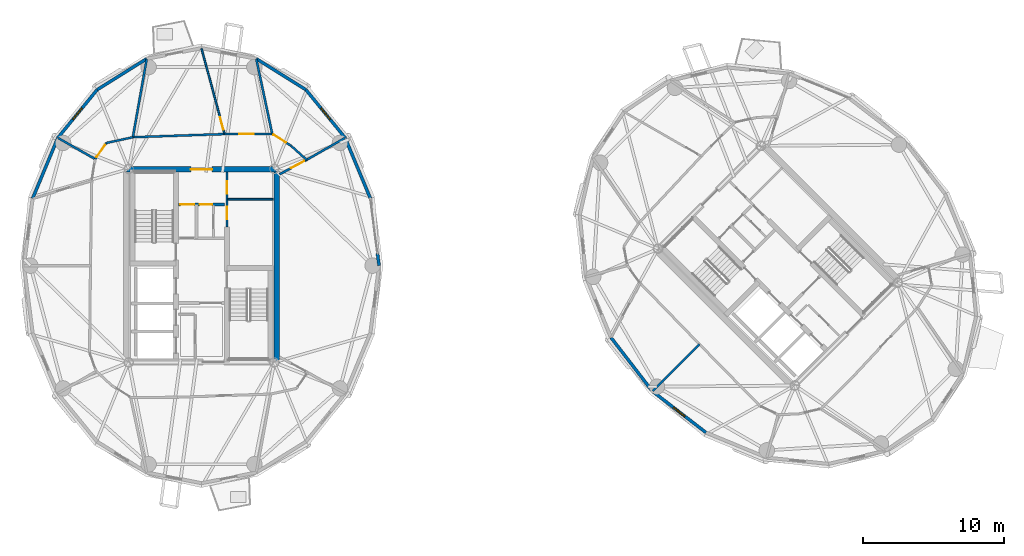
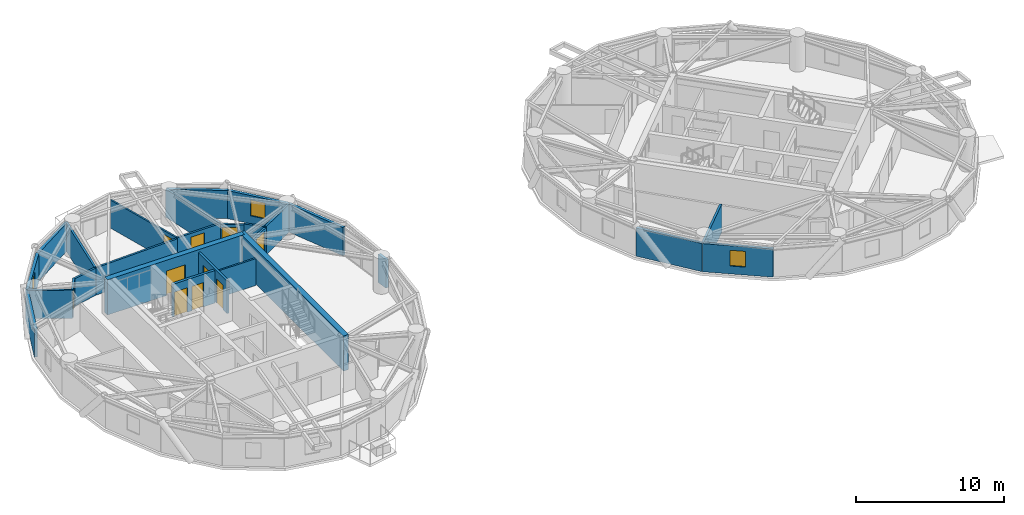
# One storey, part 10 of 17: 27 walls, 10 doors, 3 windows, 13 openings.
"""IFC4 building model written with IfcOpenShell, lengths in metres."""

from ifc_helpers import new_model, si_unit, direction, frame, frame_2d, origin, place, context, subcontext, project, spatial, rectangle, extrude, source, transform, mapped, material, layer, layer_set, type_object, element, fill, save


model = new_model("IFC4")

# Units and contexts
model_context = context("Model", 3, precision=1e-05, world=origin(), true_north=direction((0.0, 1.0)))
body_context = subcontext(model_context, "Body", "Model", "MODEL_VIEW")
ifc_project = project(units=[si_unit("LENGTHUNIT", "METRE"), si_unit("AREAUNIT", "SQUARE_METRE"), si_unit("VOLUMEUNIT", "CUBIC_METRE"), si_unit("PLANEANGLEUNIT", "RADIAN"), si_unit("MASSUNIT", "GRAM", prefix="KILO")], contexts=[model_context])

# Site, building, storey
site_placement = place(None, origin())
site = spatial("IfcSite", under=ifc_project, at=site_placement, CompositionType="ELEMENT")
building_placement = place(site_placement, origin())
building = spatial("IfcBuilding", under=site, at=building_placement, Name="Cununo Teusaquillo Station Towers", CompositionType="ELEMENT")
storey_placement = place(building_placement, frame((0.0, 0.0, 205.389892578125)))
storey = spatial("IfcBuildingStorey", under=building, at=storey_placement, Name="L65", CompositionType="ELEMENT", Elevation=205.389892578125)

# Wall
ifc_material_1 = material(Name="Concrete C50/60", Category="concrete")
ifc_layer_1 = layer(ifc_material_1, 0.39990234375)
ifc_layer_set_1 = layer_set([ifc_layer_1], Name="Concrete C50/60")
wall_type_1 = type_object("IfcWallType", Name="WL-CORE-400", PredefinedType="SHEAR", material=ifc_layer_set_1)
wall_1_placement = place(storey_placement, frame((21.85009765625, 17.449951171875, 0.0), z_axis=(0.0, 0.0, 1.0), x_axis=(0.0, 1.0, 0.0)))
element("IfcWall", 1, at=wall_1_placement, inside=storey, type_object=wall_type_1, Name="L65 Tower A Core Shear Wall E", PredefinedType="SHEAR", context=body_context, shape_type="SweptSolid", body=[
    extrude(rectangle(XDim=14.10009765625, YDim=0.39990234375, at=frame_2d((7.050048828125, 0.0))), origin(), (0.0, 0.0, 1.0), 2.91015625),
])

# Wall, opening, door
wall_2_placement = place(storey_placement, frame((11.14990234375, 31.35009765625, 0.0), z_axis=(0.0, 0.0, 1.0), x_axis=(1.0, 0.0, 0.0)))
wall_2 = element("IfcWall", 2, at=wall_2_placement, inside=storey, type_object=wall_type_1, Name="L65 Tower A Core Shear Wall N", PredefinedType="SHEAR", context=body_context, shape_type="SweptSolid", body=[
    extrude(rectangle(XDim=10.7001953125, YDim=0.39990234375, at=frame_2d((5.35009765625, 0.0))), origin(), (0.0, 0.0, 1.0), 2.91015625),
])
shared_shape_1 = source(origin(), body_context, "Body", "SweptSolid", [
    extrude(rectangle(XDim=1.5, YDim=2.02001953125, at=frame_2d((0.75, 1.010009765625))), frame((0.0, 0.2099609375, 0.0), z_axis=(0.0, -1.0, 0.0), x_axis=(1.0, 0.0, 0.0)), (0.0, 0.0, 1.0), 0.419921875),
])
opening_1_placement = place(wall_2_placement, frame((4.60009765625, 0.0, 0.0)))
opening_1 = element("IfcOpeningElement", 3, at=opening_1_placement, cuts=wall_2, Name="Opening D-LB1", PredefinedType="OPENING", context=body_context, shape_type="MappedRepresentation", body=[
    mapped(shared_shape_1, transform((0.0, 0.0, 0.0), x_axis=(1.0, 0.0, 0.0), y_axis=(0.0, 1.0, 0.0), z_axis=(0.0, 0.0, 1.0), scale=1.0)),
])
ifc_material_2 = material(Name="Galvanised fire-rated hollow steel door assembly", Category="steel")
door_type_1 = type_object("IfcDoorType", Name="DR-LOBBY-1500", OperationType="DOUBLE_DOOR_SINGLE_SWING", PredefinedType="DOOR", material=ifc_material_2)
shared_shape_2 = source(origin(), body_context, "Body", "SweptSolid", [
    extrude(rectangle(XDim=1.5, YDim=2.02001953125, at=frame_2d((0.75, 1.010009765625))), frame((0.0, 0.02490234375, 0.0), z_axis=(0.0, -1.0, 0.0), x_axis=(1.0, 0.0, 0.0)), (0.0, 0.0, 1.0), 0.050048828125),
])
door_1_placement = place(opening_1_placement, origin())
door_1 = element("IfcDoor", 4, at=door_1_placement, inside=storey, type_object=door_type_1, Name="L65 Tower A North Core Lift Lobby Door", OperationType="DOUBLE_DOOR_SINGLE_SWING", OverallHeight=2.02001953125, OverallWidth=1.5, PredefinedType="DOOR", context=body_context, shape_type="MappedRepresentation", body=[
    mapped(shared_shape_2, transform((0.0, 0.0, 0.0), x_axis=(1.0, 0.0, 0.0), y_axis=(0.0, 1.0, 0.0), z_axis=(0.0, 0.0, 1.0), scale=1.0)),
])
fill(opening_1, door_1)

# Walls
ifc_material_3 = material(Name="Precast concrete C40/50", Category="concrete")
ifc_layer_2 = layer(ifc_material_3, 0.219970703125)
ifc_layer_set_2 = layer_set([ifc_layer_2], Name="Precast concrete C40/50")
wall_type_2 = type_object("IfcWallType", Name="WL-EXT-220", PredefinedType="SOLIDWALL", material=ifc_layer_set_2)
wall_3_placement = place(storey_placement, frame((29.018310546875, 25.36279296875, 0.0), z_axis=(0.0, 0.0, 1.0), x_axis=(0.128247365719, -0.991742211054, 0.0)))
element("IfcWall", 5, at=wall_3_placement, inside=storey, type_object=wall_type_2, Name="L65 Tower A Column Pier Cladding Wall C00-PB", PredefinedType="SOLIDWALL", context=body_context, shape_type="SweptSolid", body=[
    extrude(rectangle(XDim=0.869873046875, YDim=0.219970703125, at=frame_2d((0.43505859375, 0.0))), origin(), (0.0, 0.0, 1.0), 2.322021484375),
])
wall_4_placement = place(storey_placement, frame((26.718017578125, 33.593017578125, 0.0), z_axis=(0.0, 0.0, 1.0), x_axis=(0.384036305194, -0.923317993052, 0.0)))
element("IfcWall", 6, at=wall_4_placement, inside=storey, type_object=wall_type_2, Name="L65 Tower A Exterior Facade Wall C01", PredefinedType="SOLIDWALL", context=body_context, shape_type="SweptSolid", body=[
    extrude(rectangle(XDim=4.670654296875, YDim=0.219970703125, at=frame_2d((2.33544921875, 0.0))), origin(), (0.0, 0.0, 1.0), 2.322021484375),
])

# Wall, opening, window
wall_5_placement = place(storey_placement, frame((23.923583984375, 37.015380859375, 0.0), z_axis=(0.0, 0.0, 1.0), x_axis=(0.632467166636, -0.774587169483, 0.0)))
wall_5 = element("IfcWall", 7, at=wall_5_placement, inside=storey, type_object=wall_type_2, Name="L65 Tower A Exterior Facade Wall C02", PredefinedType="SOLIDWALL", context=body_context, shape_type="SweptSolid", body=[
    extrude(rectangle(XDim=4.418212890625, YDim=0.219970703125, at=frame_2d((2.208984375, 0.0))), origin(), (0.0, 0.0, 1.0), 2.322021484375),
])
shared_shape_3 = source(origin(), body_context, "Body", "SweptSolid", [
    extrude(rectangle(XDim=1.050048828125, YDim=1.300048828125, at=frame_2d((0.52490234375, 0.64990234375))), frame((0.0, 0.119873046875, 0.0), z_axis=(0.0, -1.0, 0.0), x_axis=(1.0, 0.0, 0.0)), (0.0, 0.0, 1.0), 0.239990234375),
])
opening_2_placement = place(wall_5_placement, frame((1.68408203125, 0.0, 0.64990234375)))
opening_2 = element("IfcOpeningElement", 8, at=opening_2_placement, cuts=wall_5, Name="Opening WN-04", PredefinedType="OPENING", context=body_context, shape_type="MappedRepresentation", body=[
    mapped(shared_shape_3, transform((0.0, 0.0, 0.0), x_axis=(1.0, 0.0, 0.0), y_axis=(0.0, 1.0, 0.0), z_axis=(0.0, 0.0, 1.0), scale=1.0)),
])
ifc_material_4 = material(Name="Operable acoustic tinted low-E double glazing", Category="glass")
window_type = type_object("IfcWindowType", Name="WIN-BAL-1050", PartitioningType="SINGLE_PANEL", PredefinedType="WINDOW", material=ifc_material_4)
shared_shape_4 = source(origin(), body_context, "Body", "SweptSolid", [
    extrude(rectangle(XDim=1.050048828125, YDim=1.300048828125, at=frame_2d((0.52490234375, 0.64990234375))), frame((0.0, 0.030029296875, 0.0), z_axis=(0.0, -1.0, 0.0), x_axis=(1.0, 0.0, 0.0)), (0.0, 0.0, 1.0), 0.06005859375),
])
window_1_placement = place(opening_2_placement, origin())
window_1 = element("IfcWindow", 9, at=window_1_placement, inside=storey, type_object=window_type, Name="L65 Tower A Facade Window C02", OverallHeight=1.300048828125, OverallWidth=1.050048828125, PartitioningType="SINGLE_PANEL", PredefinedType="WINDOW", context=body_context, shape_type="MappedRepresentation", body=[
    mapped(shared_shape_4, transform((0.0, 0.0, 0.0), x_axis=(1.0, 0.0, 0.0), y_axis=(0.0, 1.0, 0.0), z_axis=(0.0, 0.0, 1.0), scale=1.0)),
])
fill(opening_2, window_1)

# Walls
for number, where, z_axis, x_axis, name in (
    (10, (20.40283203125, 39.212890625, 0.0), (0.0, 0.0, 1.0), (0.848318713376, -0.529485939886, 0.0), "L65 Tower A Exterior Facade Wall C03"),
    (11, (9.076416015625, 37.015380859375, 0.0), (0.0, 0.0, 1.0), (0.848318713376, 0.529485939886, 0.0), "L65 Tower A Exterior Facade Wall C06"),
):
    element("IfcWall", number, at=place(storey_placement, frame(where, z_axis=z_axis, x_axis=x_axis)), inside=storey, type_object=wall_type_2, Name=name, PredefinedType="SOLIDWALL", context=body_context, shape_type="SweptSolid", body=[
        extrude(rectangle(XDim=4.150390625, YDim=0.219970703125, at=frame_2d((2.0751953125, 0.0))), origin(), (0.0, 0.0, 1.0), 2.322021484375),
    ])

# Wall, opening, window
wall_6_placement = place(storey_placement, frame((6.281982421875, 33.593017578125, 0.0), z_axis=(0.0, 0.0, 1.0), x_axis=(0.632467166636, 0.774587169483, 0.0)))
wall_6 = element("IfcWall", 12, at=wall_6_placement, inside=storey, type_object=wall_type_2, Name="L65 Tower A Exterior Facade Wall C07", PredefinedType="SOLIDWALL", context=body_context, shape_type="SweptSolid", body=[
    extrude(rectangle(XDim=4.418212890625, YDim=0.219970703125, at=frame_2d((2.208984375, 0.0))), origin(), (0.0, 0.0, 1.0), 2.322021484375),
])
opening_3_placement = place(wall_6_placement, frame((1.68408203125, 0.0, 0.64990234375)))
opening_3 = element("IfcOpeningElement", 13, at=opening_3_placement, cuts=wall_6, Name="Opening WN-04", PredefinedType="OPENING", context=body_context, shape_type="MappedRepresentation", body=[
    mapped(shared_shape_3, transform((0.0, 0.0, 0.0), x_axis=(1.0, 0.0, 0.0), y_axis=(0.0, 1.0, 0.0), z_axis=(0.0, 0.0, 1.0), scale=1.0)),
])
window_2_placement = place(opening_3_placement, origin())
window_2 = element("IfcWindow", 14, at=window_2_placement, inside=storey, type_object=window_type, Name="L65 Tower A Facade Window C07", OverallHeight=1.300048828125, OverallWidth=1.050048828125, PartitioningType="SINGLE_PANEL", PredefinedType="WINDOW", context=body_context, shape_type="MappedRepresentation", body=[
    mapped(shared_shape_4, transform((0.0, 0.0, 0.0), x_axis=(1.0, 0.0, 0.0), y_axis=(0.0, 1.0, 0.0), z_axis=(0.0, 0.0, 1.0), scale=1.0)),
])
fill(opening_3, window_2)

# Walls
wall_7_placement = place(storey_placement, frame((4.48828125, 29.280517578125, 0.0), z_axis=(0.0, 0.0, 1.0), x_axis=(0.384036305194, 0.923317993052, 0.0)))
element("IfcWall", 15, at=wall_7_placement, inside=storey, type_object=wall_type_2, Name="L65 Tower A Exterior Facade Wall C08", PredefinedType="SOLIDWALL", context=body_context, shape_type="SweptSolid", body=[
    extrude(rectangle(XDim=4.670654296875, YDim=0.219970703125, at=frame_2d((2.33544921875, 0.0))), origin(), (0.0, 0.0, 1.0), 2.322021484375),
])
wall_8_placement = place(storey_placement, frame((48.569091796875, 15.569091796875, 0.0), z_axis=(0.0, 0.0, 1.0), x_axis=(-0.610523083886, 0.791998462147, 0.0)))
element("IfcWall", 16, at=wall_8_placement, inside=storey, type_object=wall_type_2, Name="L65 Tower B Exterior Facade Wall C09", PredefinedType="SOLIDWALL", context=body_context, shape_type="SweptSolid", body=[
    extrude(rectangle(XDim=4.8203125, YDim=0.219970703125, at=frame_2d((2.41015625, 0.0))), origin(), (0.0, 0.0, 1.0), 2.322021484375),
])

# Wall, opening, window
wall_9_placement = place(storey_placement, frame((52.38671875, 12.626220703125, 0.0), z_axis=(0.0, 0.0, 1.0), x_axis=(-0.791998462147, 0.610523083886, 0.0)))
wall_9 = element("IfcWall", 17, at=wall_9_placement, inside=storey, type_object=wall_type_2, Name="L65 Tower B Exterior Facade Wall C10", PredefinedType="SOLIDWALL", context=body_context, shape_type="SweptSolid", body=[
    extrude(rectangle(XDim=4.8203125, YDim=0.219970703125, at=frame_2d((2.41015625, 0.0))), origin(), (0.0, 0.0, 1.0), 2.322021484375),
])
opening_4_placement = place(wall_9_placement, frame((1.885009765625, 0.0, 0.64990234375)))
opening_4 = element("IfcOpeningElement", 18, at=opening_4_placement, cuts=wall_9, Name="Opening WN-04", PredefinedType="OPENING", context=body_context, shape_type="MappedRepresentation", body=[
    mapped(shared_shape_3, transform((0.0, 0.0, 0.0), x_axis=(1.0, 0.0, 0.0), y_axis=(0.0, 1.0, 0.0), z_axis=(0.0, 0.0, 1.0), scale=1.0)),
])
window_3_placement = place(opening_4_placement, origin())
window_3 = element("IfcWindow", 19, at=window_3_placement, inside=storey, type_object=window_type, Name="L65 Tower B Facade Window C10", OverallHeight=1.300048828125, OverallWidth=1.050048828125, PartitioningType="SINGLE_PANEL", PredefinedType="WINDOW", context=body_context, shape_type="MappedRepresentation", body=[
    mapped(shared_shape_4, transform((0.0, 0.0, 0.0), x_axis=(1.0, 0.0, 0.0), y_axis=(0.0, 1.0, 0.0), z_axis=(0.0, 0.0, 1.0), scale=1.0)),
])
fill(opening_4, window_3)

# Wall
ifc_material_5 = material(Name="Fire-rated gypsum plasterboard partition assembly", Category="gypsum")
ifc_layer_3 = layer(ifc_material_5, 0.125)
ifc_layer_set_3 = layer_set([ifc_layer_3], Name="Fire-rated gypsum plasterboard partition assembly")
wall_type_3 = type_object("IfcWallType", Name="WL-PART-125", PredefinedType="PARTITIONING", material=ifc_layer_set_3)
wall_10_placement = place(storey_placement, frame((18.3798828125, 29.219970703125, 0.0), z_axis=(0.0, 0.0, 1.0), x_axis=(1.0, 0.0, 0.0)))
element("IfcWall", 20, at=wall_10_placement, inside=storey, type_object=wall_type_3, Name="L65 Tower A Reclaimed Bay Divider Wall", PredefinedType="PARTITIONING", context=body_context, shape_type="SweptSolid", body=[
    extrude(rectangle(XDim=3.22021484375, YDim=0.125, at=frame_2d((1.610107421875, 0.0))), origin(), (0.0, 0.0, 1.0), 2.22216796875),
])

# Wall, opening, door
wall_11_placement = place(storey_placement, frame((18.142822265625, 33.859619140625, 0.0), z_axis=(0.0, 0.0, 1.0), x_axis=(-0.260434252895, 0.965491584592, 0.0)))
wall_11 = element("IfcWall", 21, at=wall_11_placement, inside=storey, type_object=wall_type_3, Name="L65 Tower A International Arbitration Salon Suite Subdividing Wall", PredefinedType="PARTITIONING", context=body_context, shape_type="SweptSolid", body=[
    extrude(rectangle(XDim=6.30810546875, YDim=0.125, at=frame_2d((3.154052734375, 0.0))), origin(), (0.0, 0.0, 1.0), 2.322021484375),
])
shared_shape_5 = source(origin(), body_context, "Body", "SweptSolid", [
    extrude(rectangle(XDim=0.89990234375, YDim=2.0048828125, at=frame_2d((0.449951171875, 1.00244140625))), frame((0.0, 0.072509765625, 0.0), z_axis=(0.0, -1.0, 0.0), x_axis=(1.0, 0.0, 0.0)), (0.0, 0.0, 1.0), 0.14501953125),
])
opening_5_placement = place(wall_11_placement, frame((0.330078125, 0.0, 0.0)))
opening_5 = element("IfcOpeningElement", 22, at=opening_5_placement, cuts=wall_11, Name="Opening D-IN1", PredefinedType="OPENING", context=body_context, shape_type="MappedRepresentation", body=[
    mapped(shared_shape_5, transform((0.0, 0.0, 0.0), x_axis=(1.0, 0.0, 0.0), y_axis=(0.0, 1.0, 0.0), z_axis=(0.0, 0.0, 1.0), scale=1.0)),
])
ifc_material_6 = material(Name="Acoustic solid-core hardwood leaf assembly", Category="wood")
door_type_2 = type_object("IfcDoorType", Name="DR-INT-900", OperationType="NOTDEFINED", PredefinedType="DOOR", material=ifc_material_6)
shared_shape_6 = source(origin(), body_context, "Body", "SweptSolid", [
    extrude(rectangle(XDim=0.89990234375, YDim=2.0048828125, at=frame_2d((0.449951171875, 1.00244140625))), frame((0.0, 0.02490234375, 0.0), z_axis=(0.0, -1.0, 0.0), x_axis=(1.0, 0.0, 0.0)), (0.0, 0.0, 1.0), 0.050048828125),
])
door_2_placement = place(opening_5_placement, origin())
door_2 = element("IfcDoor", 23, at=door_2_placement, inside=storey, type_object=door_type_2, Name="L65 Tower A International Arbitration Salon Suite Connecting Door", OperationType="SINGLE_SWING_LEFT", OverallHeight=2.0048828125, OverallWidth=0.89990234375, PredefinedType="DOOR", context=body_context, shape_type="MappedRepresentation", body=[
    mapped(shared_shape_6, transform((0.0, 0.0, 0.0), x_axis=(1.0, 0.0, 0.0), y_axis=(0.0, 1.0, 0.0), z_axis=(0.0, 0.0, 1.0), scale=1.0)),
])
fill(opening_5, door_2)

# Wall
ifc_material_7 = material(Name="Fire-rated gypsum plasterboard partition assembly", Category="gypsum")
ifc_layer_4 = layer(ifc_material_7, 0.14990234375)
ifc_layer_set_4 = layer_set([ifc_layer_4], Name="Fire-rated gypsum plasterboard partition assembly")
wall_type_4 = type_object("IfcWallType", Name="WL-PART-150", PredefinedType="PARTITIONING", material=ifc_layer_set_4)
wall_12_placement = place(storey_placement, frame((23.979736328125, 32.02685546875, 0.0), z_axis=(0.0, 0.0, 1.0), x_axis=(-0.742353224332, 0.670008724065, 0.0)))
element("IfcWall", 24, at=wall_12_placement, inside=storey, type_object=wall_type_4, Name="L65 Tower A Corridor Ring Wall C02", PredefinedType="PARTITIONING", context=body_context, shape_type="SweptSolid", body=[
    extrude(rectangle(XDim=1.48486328125, YDim=0.14990234375, at=frame_2d((0.742431640625, 0.0))), origin(), (0.0, 0.0, 1.0), 2.322021484375),
])

# Wall, opening, door
wall_13_placement = place(storey_placement, frame((22.87744140625, 33.021728515625, 0.0), z_axis=(0.0, 0.0, 1.0), x_axis=(-0.845895608855, 0.533348496689, 0.0)))
wall_13 = element("IfcWall", 25, at=wall_13_placement, inside=storey, type_object=wall_type_4, Name="L65 Tower A Corridor Ring Wall C03", PredefinedType="PARTITIONING", context=body_context, shape_type="SweptSolid", body=[
    extrude(rectangle(XDim=1.5966796875, YDim=0.14990234375, at=frame_2d((0.79833984375, 0.0))), origin(), (0.0, 0.0, 1.0), 2.255126953125),
])
shared_shape_7 = source(origin(), body_context, "Body", "SweptSolid", [
    extrude(rectangle(XDim=1.050048828125, YDim=2.014892578125, at=frame_2d((0.52490234375, 1.00732421875))), frame((0.0, 0.0849609375, 0.0), z_axis=(0.0, -1.0, 0.0), x_axis=(1.0, 0.0, 0.0)), (0.0, 0.0, 1.0), 0.169921875),
])
opening_6_placement = place(wall_13_placement, frame((0.4267578125, 0.0, 0.0)))
opening_6 = element("IfcOpeningElement", 26, at=opening_6_placement, cuts=wall_13, Name="Opening D-SU1", PredefinedType="OPENING", context=body_context, shape_type="MappedRepresentation", body=[
    mapped(shared_shape_7, transform((0.0, 0.0, 0.0), x_axis=(1.0, 0.0, 0.0), y_axis=(0.0, 1.0, 0.0), z_axis=(0.0, 0.0, 1.0), scale=1.0)),
])
ifc_material_8 = material(Name="Acoustic solid-core hardwood leaf assembly", Category="wood")
door_type_3 = type_object("IfcDoorType", Name="DR-SUITE-1050", OperationType="NOTDEFINED", PredefinedType="DOOR", material=ifc_material_8)
shared_shape_8 = source(origin(), body_context, "Body", "SweptSolid", [
    extrude(rectangle(XDim=1.050048828125, YDim=2.014892578125, at=frame_2d((0.52490234375, 1.00732421875))), frame((0.0, 0.02490234375, 0.0), z_axis=(0.0, -1.0, 0.0), x_axis=(1.0, 0.0, 0.0)), (0.0, 0.0, 1.0), 0.050048828125),
])
door_3_placement = place(opening_6_placement, origin())
door_3 = element("IfcDoor", 27, at=door_3_placement, inside=storey, type_object=door_type_3, Name="L65 Tower A Andean Climate Foundation HQ Entrance Door", OperationType="SINGLE_SWING_LEFT", OverallHeight=2.014892578125, OverallWidth=1.050048828125, PredefinedType="DOOR", context=body_context, shape_type="MappedRepresentation", body=[
    mapped(shared_shape_8, transform((0.0, 0.0, 0.0), x_axis=(1.0, 0.0, 0.0), y_axis=(0.0, 1.0, 0.0), z_axis=(0.0, 0.0, 1.0), scale=1.0)),
])
fill(opening_6, door_3)

wall_14_placement = place(storey_placement, frame((21.52685546875, 33.873291015625, 0.0), z_axis=(0.0, 0.0, 1.0), x_axis=(-0.999991838845, -0.004040079574, 0.0)))
wall_14 = element("IfcWall", 28, at=wall_14_placement, inside=storey, type_object=wall_type_4, Name="L65 Tower A Corridor Ring Wall C04", PredefinedType="PARTITIONING", context=body_context, shape_type="SweptSolid", body=[
    extrude(rectangle(XDim=3.384033203125, YDim=0.14990234375, at=frame_2d((1.69189453125, 0.0))), origin(), (0.0, 0.0, 1.0), 2.322021484375),
])
opening_7_placement = place(wall_14_placement, frame((1.2978515625, 0.0, 0.0)))
opening_7 = element("IfcOpeningElement", 29, at=opening_7_placement, cuts=wall_14, Name="Opening D-SU1", PredefinedType="OPENING", context=body_context, shape_type="MappedRepresentation", body=[
    mapped(shared_shape_7, transform((0.0, 0.0, 0.0), x_axis=(1.0, 0.0, 0.0), y_axis=(0.0, 1.0, 0.0), z_axis=(0.0, 0.0, 1.0), scale=1.0)),
])
door_4_placement = place(opening_7_placement, origin())
door_4 = element("IfcDoor", 30, at=door_4_placement, inside=storey, type_object=door_type_3, Name="L65 Tower A International Arbitration Salon Entrance Door", OperationType="SINGLE_SWING_RIGHT", OverallHeight=2.014892578125, OverallWidth=1.050048828125, PredefinedType="DOOR", context=body_context, shape_type="MappedRepresentation", body=[
    mapped(shared_shape_8, transform((0.0, 0.0, 0.0), x_axis=(1.0, 0.0, 0.0), y_axis=(0.0, 1.0, 0.0), z_axis=(0.0, 0.0, 1.0), scale=1.0)),
])
fill(opening_7, door_4)

# Walls
wall_15_placement = place(storey_placement, frame((18.142822265625, 33.859619140625, 0.0), z_axis=(0.0, 0.0, 1.0), x_axis=(-0.999419208319, -0.034077060363, 0.0)))
element("IfcWall", 31, at=wall_15_placement, inside=storey, type_object=wall_type_4, Name="L65 Tower A Corridor Ring Wall C05", PredefinedType="PARTITIONING", context=body_context, shape_type="SweptSolid", body=[
    extrude(rectangle(XDim=6.52685546875, YDim=0.14990234375, at=frame_2d((3.263427734375, 0.0))), origin(), (0.0, 0.0, 1.0), 2.255126953125),
])
wall_16_placement = place(storey_placement, frame((11.619873046875, 33.63720703125, 0.0), z_axis=(0.0, 0.0, 1.0), x_axis=(-0.97702579435, -0.213121085711, 0.0)))
element("IfcWall", 32, at=wall_16_placement, inside=storey, type_object=wall_type_4, Name="L65 Tower A Corridor Ring Wall C06", PredefinedType="PARTITIONING", context=body_context, shape_type="SweptSolid", body=[
    extrude(rectangle(XDim=1.934814453125, YDim=0.14990234375, at=frame_2d((0.96728515625, 0.0))), origin(), (0.0, 0.0, 1.0), 2.255126953125),
])

# Wall, opening, door
wall_17_placement = place(storey_placement, frame((9.7294921875, 33.224853515625, 0.0), z_axis=(0.0, 0.0, 1.0), x_axis=(-0.567183649484, -0.82359134755, 0.0)))
wall_17 = element("IfcWall", 33, at=wall_17_placement, inside=storey, type_object=wall_type_4, Name="L65 Tower A Corridor Ring Wall C07", PredefinedType="PARTITIONING", context=body_context, shape_type="SweptSolid", body=[
    extrude(rectangle(XDim=1.39208984375, YDim=0.14990234375, at=frame_2d((0.696044921875, 0.0))), origin(), (0.0, 0.0, 1.0), 2.322021484375),
])
opening_8_placement = place(wall_17_placement, frame((0.1708984375, 0.0, 0.0)))
opening_8 = element("IfcOpeningElement", 34, at=opening_8_placement, cuts=wall_17, Name="Opening D-SU1", PredefinedType="OPENING", context=body_context, shape_type="MappedRepresentation", body=[
    mapped(shared_shape_7, transform((0.0, 0.0, 0.0), x_axis=(1.0, 0.0, 0.0), y_axis=(0.0, 1.0, 0.0), z_axis=(0.0, 0.0, 1.0), scale=1.0)),
])
door_5_placement = place(opening_8_placement, origin())
door_5 = element("IfcDoor", 35, at=door_5_placement, inside=storey, type_object=door_type_3, Name="L65 Tower A Senior Counsel Office Entrance Door", OperationType="SINGLE_SWING_RIGHT", OverallHeight=2.014892578125, OverallWidth=1.050048828125, PredefinedType="DOOR", context=body_context, shape_type="MappedRepresentation", body=[
    mapped(shared_shape_8, transform((0.0, 0.0, 0.0), x_axis=(1.0, 0.0, 0.0), y_axis=(0.0, 1.0, 0.0), z_axis=(0.0, 0.0, 1.0), scale=1.0)),
])
fill(opening_8, door_5)

# Wall, openings, doors
ifc_material_9 = material(Name="Fire-rated gypsum plasterboard partition assembly", Category="gypsum")
ifc_layer_5 = layer(ifc_material_9, 0.159912109375)
ifc_layer_set_5 = layer_set([ifc_layer_5], Name="Fire-rated gypsum plasterboard partition assembly")
wall_type_5 = type_object("IfcWallType", Name="WL-PART-160", PredefinedType="PARTITIONING", material=ifc_layer_set_5)
wall_18_placement = place(storey_placement, frame((18.31494140625, 27.25, 0.0), z_axis=(0.0, 0.0, 1.0), x_axis=(0.0, 1.0, 0.0)))
wall_18 = element("IfcWall", 36, at=wall_18_placement, inside=storey, type_object=wall_type_5, Name="L65 Tower A Reclaimed Core Bay Entry Wall", PredefinedType="PARTITIONING", context=body_context, shape_type="SweptSolid", body=[
    extrude(rectangle(XDim=3.89990234375, YDim=0.159912109375, at=frame_2d((1.949951171875, 0.0))), origin(), (0.0, 0.0, 1.0), 2.68505859375),
])
shared_shape_9 = source(origin(), body_context, "Body", "SweptSolid", [
    extrude(rectangle(XDim=0.89990234375, YDim=2.0048828125, at=frame_2d((0.449951171875, 1.00244140625))), frame((0.0, 0.08984375, 0.0), z_axis=(0.0, -1.0, 0.0), x_axis=(1.0, 0.0, 0.0)), (0.0, 0.0, 1.0), 0.179931640625),
])
opening_9_placement = place(wall_18_placement, frame((0.550048828125, 0.0, 0.0)))
opening_9 = element("IfcOpeningElement", 37, at=opening_9_placement, cuts=wall_18, Name="Opening D-IN1", PredefinedType="OPENING", context=body_context, shape_type="MappedRepresentation", body=[
    mapped(shared_shape_9, transform((0.0, 0.0, 0.0), x_axis=(1.0, 0.0, 0.0), y_axis=(0.0, 1.0, 0.0), z_axis=(0.0, 0.0, 1.0), scale=1.0)),
])
opening_10_placement = place(wall_18_placement, frame((2.35009765625, 0.0, 0.0)))
opening_10 = element("IfcOpeningElement", 38, at=opening_10_placement, cuts=wall_18, Name="Opening D-IN1", PredefinedType="OPENING", context=body_context, shape_type="MappedRepresentation", body=[
    mapped(shared_shape_9, transform((0.0, 0.0, 0.0), x_axis=(1.0, 0.0, 0.0), y_axis=(0.0, 1.0, 0.0), z_axis=(0.0, 0.0, 1.0), scale=1.0)),
])
door_6_placement = place(opening_9_placement, origin())
door_6 = element("IfcDoor", 39, at=door_6_placement, inside=storey, type_object=door_type_2, Name="L65 Tower A Reclaimed Core Study Door", OperationType="SINGLE_SWING_LEFT", OverallHeight=2.0048828125, OverallWidth=0.89990234375, PredefinedType="DOOR", context=body_context, shape_type="MappedRepresentation", body=[
    mapped(shared_shape_6, transform((0.0, 0.0, 0.0), x_axis=(1.0, 0.0, 0.0), y_axis=(0.0, 1.0, 0.0), z_axis=(0.0, 0.0, 1.0), scale=1.0)),
])
fill(opening_9, door_6)
door_7_placement = place(opening_10_placement, origin())
door_7 = element("IfcDoor", 40, at=door_7_placement, inside=storey, type_object=door_type_2, Name="L65 Tower A Reclaimed Core Pantry Door", OperationType="SINGLE_SWING_RIGHT", OverallHeight=2.0048828125, OverallWidth=0.89990234375, PredefinedType="DOOR", context=body_context, shape_type="MappedRepresentation", body=[
    mapped(shared_shape_6, transform((0.0, 0.0, 0.0), x_axis=(1.0, 0.0, 0.0), y_axis=(0.0, 1.0, 0.0), z_axis=(0.0, 0.0, 1.0), scale=1.0)),
])
fill(opening_10, door_7)

# Walls
wall_19_placement = place(storey_placement, frame((23.979736328125, 32.02685546875, 0.0), z_axis=(0.0, 0.0, 1.0), x_axis=(0.868372526378, 0.495912447345, 0.0)))
element("IfcWall", 41, at=wall_19_placement, inside=storey, type_object=wall_type_5, Name="L65 Tower A Radial Suite Partition R01", PredefinedType="PARTITIONING", context=body_context, shape_type="SweptSolid", body=[
    extrude(rectangle(XDim=3.134521484375, YDim=0.159912109375, at=frame_2d((1.5673828125, 0.0))), origin(), (0.0, 0.0, 1.0), 2.322021484375),
])
wall_20_placement = place(storey_placement, frame((21.52685546875, 33.873291015625, 0.0), z_axis=(0.0, 0.0, 1.0), x_axis=(-0.207772326864, 0.97817721308, 0.0)))
element("IfcWall", 42, at=wall_20_placement, inside=storey, type_object=wall_type_5, Name="L65 Tower A Radial Suite Partition R02", PredefinedType="PARTITIONING", context=body_context, shape_type="SweptSolid", body=[
    extrude(rectangle(XDim=5.439208984375, YDim=0.159912109375, at=frame_2d((2.7197265625, 0.0))), origin(), (0.0, 0.0, 1.0), 2.322021484375),
])
wall_21_placement = place(storey_placement, frame((11.619873046875, 33.63720703125, 0.0), z_axis=(0.0, 0.0, 1.0), x_axis=(0.174269061361, 0.984698072636, 0.0)))
element("IfcWall", 43, at=wall_21_placement, inside=storey, type_object=wall_type_5, Name="L65 Tower A Radial Suite Partition R03", PredefinedType="PARTITIONING", context=body_context, shape_type="SweptSolid", body=[
    extrude(rectangle(XDim=5.64306640625, YDim=0.159912109375, at=frame_2d((2.821533203125, 0.0))), origin(), (0.0, 0.0, 1.0), 2.322021484375),
])
wall_22_placement = place(storey_placement, frame((8.93994140625, 32.078369140625, 0.0), z_axis=(0.0, 0.0, 1.0), x_axis=(-0.869170975588, 0.494511693689, 0.0)))
element("IfcWall", 44, at=wall_22_placement, inside=storey, type_object=wall_type_5, Name="L65 Tower A Radial Suite Partition R04", PredefinedType="PARTITIONING", context=body_context, shape_type="SweptSolid", body=[
    extrude(rectangle(XDim=3.039306640625, YDim=0.159912109375, at=frame_2d((1.51953125, 0.0))), origin(), (0.0, 0.0, 1.0), 2.322021484375),
])

# Wall, opening, door
wall_23_placement = place(storey_placement, frame((22.050048828125, 31.0, 0.0), z_axis=(0.0, 0.0, 1.0), x_axis=(0.882791584709, 0.469764853908, 0.0)))
wall_23 = element("IfcWall", 45, at=wall_23_placement, inside=storey, type_object=wall_type_5, Name="L65 Tower A East Salon Corridor Portal Wall NE", PredefinedType="PARTITIONING", context=body_context, shape_type="SweptSolid", body=[
    extrude(rectangle(XDim=2.185791015625, YDim=0.159912109375, at=frame_2d((1.0927734375, 0.0))), origin(), (0.0, 0.0, 1.0), 2.255126953125),
])
shared_shape_10 = source(origin(), body_context, "Body", "SweptSolid", [
    extrude(rectangle(XDim=1.050048828125, YDim=2.014892578125, at=frame_2d((0.52490234375, 1.00732421875))), frame((0.0, 0.08984375, 0.0), z_axis=(0.0, -1.0, 0.0), x_axis=(1.0, 0.0, 0.0)), (0.0, 0.0, 1.0), 0.179931640625),
])
opening_11_placement = place(wall_23_placement, frame((0.93603515625, 0.0, 0.0)))
opening_11 = element("IfcOpeningElement", 46, at=opening_11_placement, cuts=wall_23, Name="Opening D-SU1", PredefinedType="OPENING", context=body_context, shape_type="MappedRepresentation", body=[
    mapped(shared_shape_10, transform((0.0, 0.0, 0.0), x_axis=(1.0, 0.0, 0.0), y_axis=(0.0, 1.0, 0.0), z_axis=(0.0, 0.0, 1.0), scale=1.0)),
])
door_8_placement = place(opening_11_placement, origin())
door_8 = element("IfcDoor", 47, at=door_8_placement, inside=storey, type_object=door_type_3, Name="L65 Tower A East Panorama Sky Salon Door NE", OperationType="SINGLE_SWING_LEFT", OverallHeight=2.014892578125, OverallWidth=1.050048828125, PredefinedType="DOOR", context=body_context, shape_type="MappedRepresentation", body=[
    mapped(shared_shape_8, transform((0.0, 0.0, 0.0), x_axis=(1.0, 0.0, 0.0), y_axis=(0.0, 1.0, 0.0), z_axis=(0.0, 0.0, 1.0), scale=1.0)),
])
fill(opening_11, door_8)

# Wall
wall_24_placement = place(storey_placement, frame((51.913818359375, 18.913818359375, 0.0), z_axis=(0.0, 0.0, 1.0), x_axis=(-0.707106781187, -0.707106781187, 0.0)))
element("IfcWall", 48, at=wall_24_placement, inside=storey, type_object=wall_type_5, Name="L65 Tower B Radial Suite Partition R05", PredefinedType="PARTITIONING", context=body_context, shape_type="SweptSolid", body=[
    extrude(rectangle(XDim=4.709716796875, YDim=0.159912109375, at=frame_2d((2.35498046875, 0.0))), origin(), (0.0, 0.0, 1.0), 2.322021484375),
])

# Wall, openings, doors
ifc_material_10 = material(Name="Fire-rated gypsum plasterboard partition assembly", Category="gypsum")
ifc_layer_6 = layer(ifc_material_10, 0.199951171875)
ifc_layer_set_6 = layer_set([ifc_layer_6], Name="Fire-rated gypsum plasterboard partition assembly")
wall_type_6 = type_object("IfcWallType", Name="WL-PART-200", PredefinedType="PARTITIONING", material=ifc_layer_set_6)
wall_25_placement = place(storey_placement, frame((14.860107421875, 28.85009765625, 0.0), z_axis=(0.0, 0.0, 1.0), x_axis=(1.0, 0.0, 0.0)))
wall_25 = element("IfcWall", 49, at=wall_25_placement, inside=storey, type_object=wall_type_6, Name="L65 Tower A North Lift Lobby South Fire Wall", PredefinedType="PARTITIONING", context=body_context, shape_type="SweptSolid", body=[
    extrude(rectangle(XDim=3.27978515625, YDim=0.199951171875, at=frame_2d((1.639892578125, 0.0))), origin(), (0.0, 0.0, 1.0), 2.68505859375),
])
shared_shape_11 = source(origin(), body_context, "Body", "SweptSolid", [
    extrude(rectangle(XDim=1.0, YDim=2.014892578125, at=frame_2d((0.5, 1.00732421875))), frame((0.0, 0.10986328125, 0.0), z_axis=(0.0, -1.0, 0.0), x_axis=(1.0, 0.0, 0.0)), (0.0, 0.0, 1.0), 0.219970703125),
])
opening_12_placement = place(wall_25_placement, frame((0.139892578125, 0.0, 0.0)))
opening_12 = element("IfcOpeningElement", 50, at=opening_12_placement, cuts=wall_25, Name="Opening D-AC1", PredefinedType="OPENING", context=body_context, shape_type="MappedRepresentation", body=[
    mapped(shared_shape_11, transform((0.0, 0.0, 0.0), x_axis=(1.0, 0.0, 0.0), y_axis=(0.0, 1.0, 0.0), z_axis=(0.0, 0.0, 1.0), scale=1.0)),
])
shared_shape_12 = source(origin(), body_context, "Body", "SweptSolid", [
    extrude(rectangle(XDim=0.89990234375, YDim=2.0048828125, at=frame_2d((0.449951171875, 1.00244140625))), frame((0.0, 0.10986328125, 0.0), z_axis=(0.0, -1.0, 0.0), x_axis=(1.0, 0.0, 0.0)), (0.0, 0.0, 1.0), 0.219970703125),
])
opening_13_placement = place(wall_25_placement, frame((1.5, 0.0, 0.0)))
opening_13 = element("IfcOpeningElement", 51, at=opening_13_placement, cuts=wall_25, Name="Opening D-SR1", PredefinedType="OPENING", context=body_context, shape_type="MappedRepresentation", body=[
    mapped(shared_shape_12, transform((0.0, 0.0, 0.0), x_axis=(1.0, 0.0, 0.0), y_axis=(0.0, 1.0, 0.0), z_axis=(0.0, 0.0, 1.0), scale=1.0)),
])
ifc_material_11 = material(Name="Galvanised fire-rated hollow steel door assembly", Category="steel")
door_type_4 = type_object("IfcDoorType", Name="DR-STORE-900", OperationType="NOTDEFINED", PredefinedType="DOOR", material=ifc_material_11)
door_9_placement = place(opening_13_placement, origin())
door_9 = element("IfcDoor", 52, at=door_9_placement, inside=storey, type_object=door_type_4, Name="L65 Tower A Core Housekeeping Store Door", OperationType="SINGLE_SWING_LEFT", OverallHeight=2.0048828125, OverallWidth=0.89990234375, PredefinedType="DOOR", context=body_context, shape_type="MappedRepresentation", body=[
    mapped(shared_shape_6, transform((0.0, 0.0, 0.0), x_axis=(1.0, 0.0, 0.0), y_axis=(0.0, 1.0, 0.0), z_axis=(0.0, 0.0, 1.0), scale=1.0)),
])
fill(opening_13, door_9)
ifc_material_12 = material(Name="Acoustic solid-core hardwood leaf assembly", Category="wood")
door_type_5 = type_object("IfcDoorType", Name="DR-ACC-1000", OperationType="NOTDEFINED", PredefinedType="DOOR", material=ifc_material_12)
shared_shape_13 = source(origin(), body_context, "Body", "SweptSolid", [
    extrude(rectangle(XDim=1.0, YDim=2.014892578125, at=frame_2d((0.5, 1.00732421875))), frame((0.0, 0.02490234375, 0.0), z_axis=(0.0, -1.0, 0.0), x_axis=(1.0, 0.0, 0.0)), (0.0, 0.0, 1.0), 0.050048828125),
])
door_10_placement = place(opening_12_placement, origin())
door_10 = element("IfcDoor", 53, at=door_10_placement, inside=storey, type_object=door_type_5, Name="L65 Tower A North Lift Lobby to Stair 1 Vestibule Door", OperationType="SINGLE_SWING_LEFT", OverallHeight=2.014892578125, OverallWidth=1.0, PredefinedType="DOOR", context=body_context, shape_type="MappedRepresentation", body=[
    mapped(shared_shape_13, transform((0.0, 0.0, 0.0), x_axis=(1.0, 0.0, 0.0), y_axis=(0.0, 1.0, 0.0), z_axis=(0.0, 0.0, 1.0), scale=1.0)),
])
fill(opening_12, door_10)

save(model, "model.ifc")
